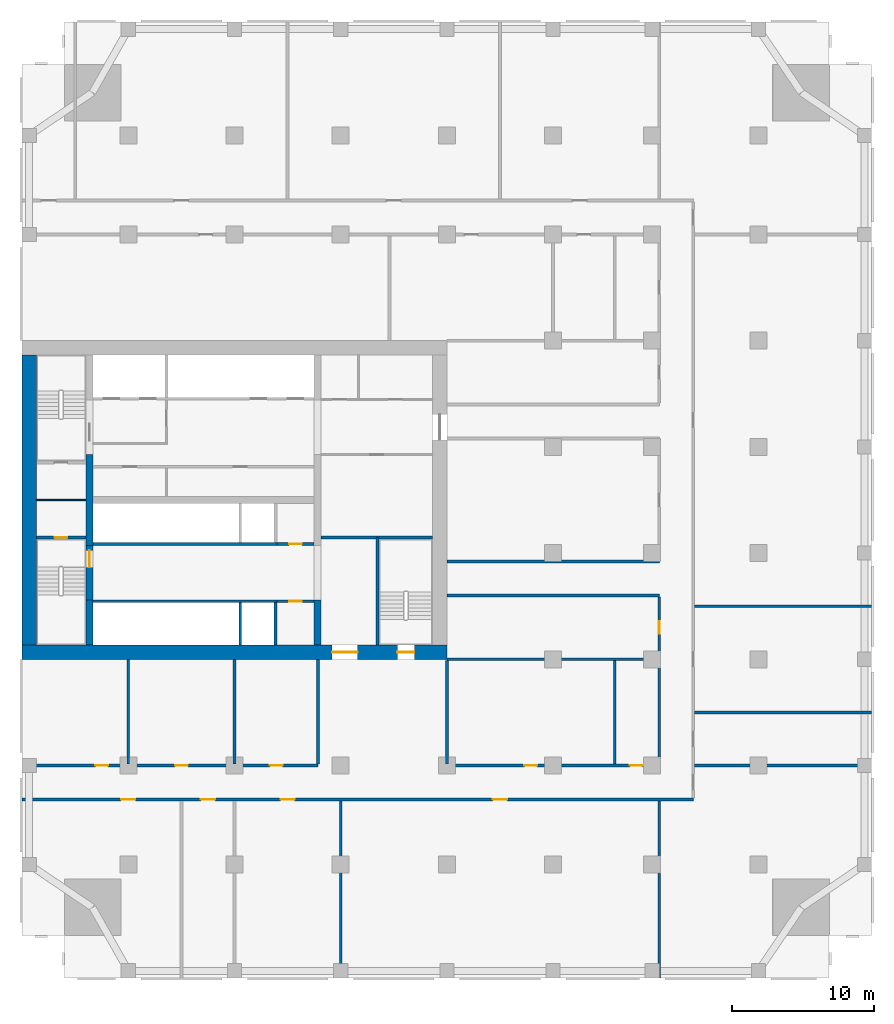
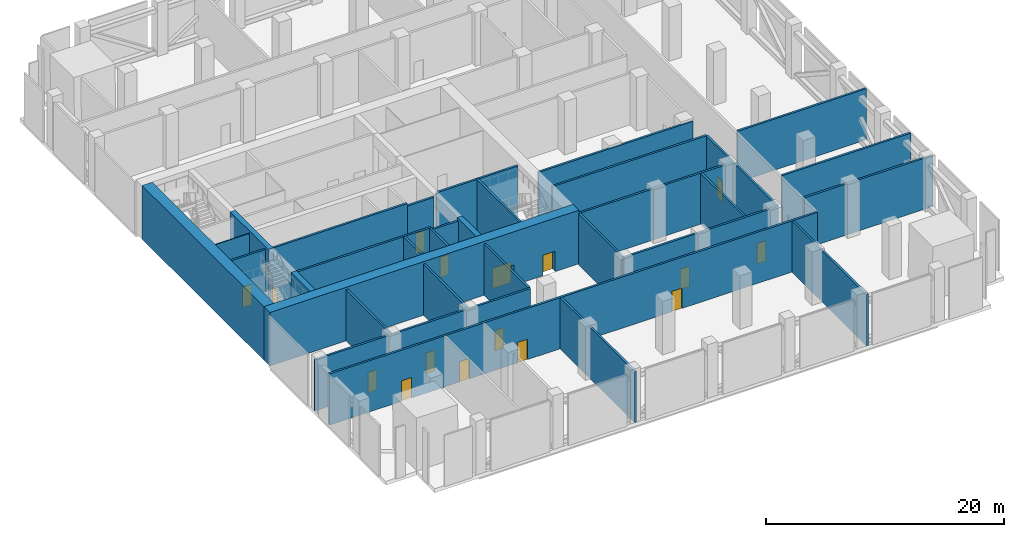
# One storey, part 3 of 10: 33 walls, 16 doors, 16 openings.
"""IFC4 building model written with IfcOpenShell, lengths in metres."""

from ifc_helpers import new_model, si_unit, direction, frame, frame_2d, origin, place, context, subcontext, project, spatial, rectangle, extrude, material, layer, layer_set, type_object, element, fill, save


model = new_model("IFC4")

# Units and contexts
model_context = context("Model", 3, precision=1e-05, world=origin(), true_north=direction((0.0, 1.0)))
body_context = subcontext(model_context, "Body", "Model", "MODEL_VIEW")
ifc_project = project(units=[si_unit("LENGTHUNIT", "METRE"), si_unit("AREAUNIT", "SQUARE_METRE"), si_unit("VOLUMEUNIT", "CUBIC_METRE"), si_unit("PLANEANGLEUNIT", "RADIAN"), si_unit("MASSUNIT", "GRAM", prefix="KILO")], contexts=[model_context])

# Site, building, storey
site_placement = place(None, origin())
site = spatial("IfcSite", under=ifc_project, at=site_placement, CompositionType="ELEMENT")
building_placement = place(site_placement, origin())
building = spatial("IfcBuilding", under=site, at=building_placement, Name="Tamorin Gate", CompositionType="ELEMENT")
storey_placement = place(building_placement, frame((0.0, 0.0, 73.60009765625)))
storey = spatial("IfcBuildingStorey", under=building, at=storey_placement, Name="L17", CompositionType="ELEMENT", Elevation=73.60009765625)

# Walls
ifc_material_1 = material(Name="Concrete C32/40", Category="concrete")
ifc_layer_1 = layer(ifc_material_1, 0.199951171875)
ifc_layer_set_1 = layer_set([ifc_layer_1], Name="Lift lobby face wall 200 EI 120")
wall_type_1 = type_object("IfcWallType", Name="Lift lobby face wall 200 EI 120", PredefinedType="SOLIDWALL", material=ifc_layer_set_1)
for number, where, z_axis, x_axis, name in (
    (1, (35.0, 64.10009765625, 0.0), (0.0, 0.0, 1.0), (1.0, 0.0, 0.0), "Lift lobby face wall"),
    (2, (35.0, 68.14990234375, 0.0), (0.0, 0.0, 1.0), (1.0, 0.0, 0.0), "Lift lobby face wall"),
):
    element("IfcWall", number, at=place(storey_placement, frame(where, z_axis=z_axis, x_axis=x_axis)), inside=storey, type_object=wall_type_1, Name=name, PredefinedType="SOLIDWALL", context=body_context, shape_type="SweptSolid", body=[
        extrude(rectangle(XDim=13.0, YDim=0.199951171875, at=frame_2d((6.5, 0.0))), origin(), (0.0, 0.0, 1.0), 5.5),
    ])
ifc_layer_2 = layer(ifc_material_1, 0.199951171875)
ifc_layer_set_2 = layer_set([ifc_layer_2], Name="Lift shaft wall 200 EI 120")
wall_type_2 = type_object("IfcWallType", Name="Lift shaft wall 200 EI 120", PredefinedType="SOLIDWALL", material=ifc_layer_set_2)
for number, where, z_axis, x_axis, name in (
    (3, (45.39990234375, 61.0, 0.0), (0.0, 0.0, 1.0), (0.0, 1.0, 0.0), "Lift shaft wall"),
    (4, (47.89990234375, 61.0, 0.0), (0.0, 0.0, 1.0), (0.0, 1.0, 0.0), "Lift shaft wall"),
):
    element("IfcWall", number, at=place(storey_placement, frame(where, z_axis=z_axis, x_axis=x_axis)), inside=storey, type_object=wall_type_2, Name=name, PredefinedType="SOLIDWALL", context=body_context, shape_type="SweptSolid", body=[
        extrude(rectangle(XDim=3.0, YDim=0.199951171875, at=frame_2d((1.5, 0.0))), origin(), (0.0, 0.0, 1.0), 5.5),
    ])

# Wall, openings, doors
ifc_material_2 = material(Name="Gypsum board partition")
ifc_layer_3 = layer(ifc_material_2, 0.199951171875)
ifc_layer_set_3 = layer_set([ifc_layer_3], Name="Plant and refuge wall 200")
wall_type_3 = type_object("IfcWallType", Name="Plant and refuge wall 200", PredefinedType="PARTITIONING", material=ifc_layer_set_3)
wall_1_placement = place(storey_placement, frame((30.0, 50.10009765625, 0.0), z_axis=(0.0, 0.0, 1.0), x_axis=(1.0, 0.0, 0.0)))
wall_1 = element("IfcWall", 5, at=wall_1_placement, inside=storey, type_object=wall_type_3, Name="Plant and refuge wall 200", PredefinedType="PARTITIONING", context=body_context, shape_type="SweptSolid", body=[
    extrude(rectangle(XDim=47.39990234375, YDim=0.199951171875, at=frame_2d((23.699951171875, 0.0))), origin(), (0.0, 0.0, 1.0), 5.25),
])
opening_1_placement = place(wall_1_placement, frame((7.0, 0.0, 0.0)))
opening_1 = element("IfcOpeningElement", 6, at=opening_1_placement, cuts=wall_1, Name="Opening DPL1001", PredefinedType="OPENING", context=body_context, shape_type="SweptSolid", body=[
    extrude(rectangle(XDim=1.0, YDim=2.10009765625, at=frame_2d((0.5, 1.050048828125))), frame((0.0, 0.10986328125, 0.0), z_axis=(0.0, -1.0, 0.0), x_axis=(1.0, 0.0, 0.0)), (0.0, 0.0, 1.0), 0.219970703125),
])
opening_2_placement = place(wall_1_placement, frame((12.625, 0.0, 0.0)))
opening_2 = element("IfcOpeningElement", 7, at=opening_2_placement, cuts=wall_1, Name="Opening DPL1002", PredefinedType="OPENING", context=body_context, shape_type="SweptSolid", body=[
    extrude(rectangle(XDim=1.0, YDim=2.10009765625, at=frame_2d((0.5, 1.050048828125))), frame((0.0, 0.10986328125, 0.0), z_axis=(0.0, -1.0, 0.0), x_axis=(1.0, 0.0, 0.0)), (0.0, 0.0, 1.0), 0.219970703125),
])
opening_3_placement = place(wall_1_placement, frame((18.25, 0.0, 0.0)))
opening_3 = element("IfcOpeningElement", 8, at=opening_3_placement, cuts=wall_1, Name="Opening DPL1003", PredefinedType="OPENING", context=body_context, shape_type="SweptSolid", body=[
    extrude(rectangle(XDim=1.0, YDim=2.10009765625, at=frame_2d((0.5, 1.050048828125))), frame((0.0, 0.10986328125, 0.0), z_axis=(0.0, -1.0, 0.0), x_axis=(1.0, 0.0, 0.0)), (0.0, 0.0, 1.0), 0.219970703125),
])
opening_4_placement = place(wall_1_placement, frame((33.25, 0.0, 0.0)))
opening_4 = element("IfcOpeningElement", 9, at=opening_4_placement, cuts=wall_1, Name="Opening DPL1004", PredefinedType="OPENING", context=body_context, shape_type="SweptSolid", body=[
    extrude(rectangle(XDim=1.0, YDim=2.10009765625, at=frame_2d((0.5, 1.050048828125))), frame((0.0, 0.10986328125, 0.0), z_axis=(0.0, -1.0, 0.0), x_axis=(1.0, 0.0, 0.0)), (0.0, 0.0, 1.0), 0.219970703125),
])
ifc_material_3 = material(Name="Timber door leaf", Category="wood")
door_type_1 = type_object("IfcDoorType", Name="Door 1000 x 2100 FD60", OperationType="NOTDEFINED", PredefinedType="DOOR", material=ifc_material_3)
door_1_placement = place(opening_1_placement, origin())
door_1 = element("IfcDoor", 10, at=door_1_placement, inside=storey, type_object=door_type_1, Name="Door DPL1001", OperationType="SINGLE_SWING_RIGHT", OverallHeight=2.10009765625, OverallWidth=1.0, PredefinedType="DOOR", context=body_context, shape_type="SweptSolid", body=[
    extrude(rectangle(XDim=1.0, YDim=2.10009765625, at=frame_2d((0.5, 1.050048828125))), frame((0.0, 0.02490234375, 0.0), z_axis=(0.0, -1.0, 0.0), x_axis=(1.0, 0.0, 0.0)), (0.0, 0.0, 1.0), 0.050048828125),
])
fill(opening_1, door_1)
door_2_placement = place(opening_2_placement, origin())
door_2 = element("IfcDoor", 11, at=door_2_placement, inside=storey, type_object=door_type_1, Name="Door DPL1002", OperationType="SINGLE_SWING_RIGHT", OverallHeight=2.10009765625, OverallWidth=1.0, PredefinedType="DOOR", context=body_context, shape_type="SweptSolid", body=[
    extrude(rectangle(XDim=1.0, YDim=2.10009765625, at=frame_2d((0.5, 1.050048828125))), frame((0.0, 0.02490234375, 0.0), z_axis=(0.0, -1.0, 0.0), x_axis=(1.0, 0.0, 0.0)), (0.0, 0.0, 1.0), 0.050048828125),
])
fill(opening_2, door_2)
door_3_placement = place(opening_3_placement, origin())
door_3 = element("IfcDoor", 12, at=door_3_placement, inside=storey, type_object=door_type_1, Name="Door DPL1003", OperationType="SINGLE_SWING_RIGHT", OverallHeight=2.10009765625, OverallWidth=1.0, PredefinedType="DOOR", context=body_context, shape_type="SweptSolid", body=[
    extrude(rectangle(XDim=1.0, YDim=2.10009765625, at=frame_2d((0.5, 1.050048828125))), frame((0.0, 0.02490234375, 0.0), z_axis=(0.0, -1.0, 0.0), x_axis=(1.0, 0.0, 0.0)), (0.0, 0.0, 1.0), 0.050048828125),
])
fill(opening_3, door_3)
door_4_placement = place(opening_4_placement, origin())
door_4 = element("IfcDoor", 13, at=door_4_placement, inside=storey, type_object=door_type_1, Name="Door DPL1004", OperationType="SINGLE_SWING_RIGHT", OverallHeight=2.10009765625, OverallWidth=1.0, PredefinedType="DOOR", context=body_context, shape_type="SweptSolid", body=[
    extrude(rectangle(XDim=1.0, YDim=2.10009765625, at=frame_2d((0.5, 1.050048828125))), frame((0.0, 0.02490234375, 0.0), z_axis=(0.0, -1.0, 0.0), x_axis=(1.0, 0.0, 0.0)), (0.0, 0.0, 1.0), 0.050048828125),
])
fill(opening_4, door_4)

wall_2_placement = place(storey_placement, frame((30.0, 52.5, 0.0), z_axis=(0.0, 0.0, 1.0), x_axis=(1.0, 0.0, 0.0)))
wall_2 = element("IfcWall", 14, at=wall_2_placement, inside=storey, type_object=wall_type_3, Name="Plant and refuge wall 200", PredefinedType="PARTITIONING", context=body_context, shape_type="SweptSolid", body=[
    extrude(rectangle(XDim=20.89990234375, YDim=0.199951171875, at=frame_2d((10.449951171875, 0.0))), origin(), (0.0, 0.0, 1.0), 5.25),
])
opening_5_placement = place(wall_2_placement, frame((5.175048828125, 0.0, 0.0)))
opening_5 = element("IfcOpeningElement", 15, at=opening_5_placement, cuts=wall_2, Name="Opening DPL1014", PredefinedType="OPENING", context=body_context, shape_type="SweptSolid", body=[
    extrude(rectangle(XDim=0.89990234375, YDim=2.10009765625, at=frame_2d((0.449951171875, 1.050048828125))), frame((0.0, 0.10986328125, 0.0), z_axis=(0.0, -1.0, 0.0), x_axis=(1.0, 0.0, 0.0)), (0.0, 0.0, 1.0), 0.219970703125),
])
opening_6_placement = place(wall_2_placement, frame((10.800048828125, 0.0, 0.0)))
opening_6 = element("IfcOpeningElement", 16, at=opening_6_placement, cuts=wall_2, Name="Opening DPL1015", PredefinedType="OPENING", context=body_context, shape_type="SweptSolid", body=[
    extrude(rectangle(XDim=0.89990234375, YDim=2.10009765625, at=frame_2d((0.449951171875, 1.050048828125))), frame((0.0, 0.10986328125, 0.0), z_axis=(0.0, -1.0, 0.0), x_axis=(1.0, 0.0, 0.0)), (0.0, 0.0, 1.0), 0.219970703125),
])
opening_7_placement = place(wall_2_placement, frame((17.5, 0.0, 0.0)))
opening_7 = element("IfcOpeningElement", 17, at=opening_7_placement, cuts=wall_2, Name="Opening DPL1016", PredefinedType="OPENING", context=body_context, shape_type="SweptSolid", body=[
    extrude(rectangle(XDim=0.89990234375, YDim=2.10009765625, at=frame_2d((0.449951171875, 1.050048828125))), frame((0.0, 0.10986328125, 0.0), z_axis=(0.0, -1.0, 0.0), x_axis=(1.0, 0.0, 0.0)), (0.0, 0.0, 1.0), 0.219970703125),
])
door_type_2 = type_object("IfcDoorType", Name="Door 900 x 2100 FD30S", OperationType="NOTDEFINED", PredefinedType="DOOR", material=ifc_material_3)
door_5_placement = place(opening_6_placement, origin())
door_5 = element("IfcDoor", 18, at=door_5_placement, inside=storey, type_object=door_type_2, Name="Door DPL1015", OperationType="SINGLE_SWING_LEFT", OverallHeight=2.10009765625, OverallWidth=0.89990234375, PredefinedType="DOOR", context=body_context, shape_type="SweptSolid", body=[
    extrude(rectangle(XDim=0.89990234375, YDim=2.10009765625, at=frame_2d((0.449951171875, 1.050048828125))), frame((0.0, 0.02490234375, 0.0), z_axis=(0.0, -1.0, 0.0), x_axis=(1.0, 0.0, 0.0)), (0.0, 0.0, 1.0), 0.050048828125),
])
fill(opening_6, door_5)
door_6_placement = place(opening_7_placement, origin())
door_6 = element("IfcDoor", 19, at=door_6_placement, inside=storey, type_object=door_type_2, Name="Door DPL1016", OperationType="SINGLE_SWING_LEFT", OverallHeight=2.10009765625, OverallWidth=0.89990234375, PredefinedType="DOOR", context=body_context, shape_type="SweptSolid", body=[
    extrude(rectangle(XDim=0.89990234375, YDim=2.10009765625, at=frame_2d((0.449951171875, 1.050048828125))), frame((0.0, 0.02490234375, 0.0), z_axis=(0.0, -1.0, 0.0), x_axis=(1.0, 0.0, 0.0)), (0.0, 0.0, 1.0), 0.050048828125),
])
fill(opening_7, door_6)
door_type_3 = type_object("IfcDoorType", Name="Door 900 x 2100 FD60", OperationType="NOTDEFINED", PredefinedType="DOOR", material=ifc_material_3)
door_7_placement = place(opening_5_placement, origin())
door_7 = element("IfcDoor", 20, at=door_7_placement, inside=storey, type_object=door_type_3, Name="Door DPL1014", OperationType="SINGLE_SWING_LEFT", OverallHeight=2.10009765625, OverallWidth=0.89990234375, PredefinedType="DOOR", context=body_context, shape_type="SweptSolid", body=[
    extrude(rectangle(XDim=0.89990234375, YDim=2.10009765625, at=frame_2d((0.449951171875, 1.050048828125))), frame((0.0, 0.02490234375, 0.0), z_axis=(0.0, -1.0, 0.0), x_axis=(1.0, 0.0, 0.0)), (0.0, 0.0, 1.0), 0.050048828125),
])
fill(opening_5, door_7)

wall_3_placement = place(storey_placement, frame((60.0, 52.5, 0.0), z_axis=(0.0, 0.0, 1.0), x_axis=(1.0, 0.0, 0.0)))
wall_3 = element("IfcWall", 21, at=wall_3_placement, inside=storey, type_object=wall_type_3, Name="Plant and refuge wall 200", PredefinedType="PARTITIONING", context=body_context, shape_type="SweptSolid", body=[
    extrude(rectangle(XDim=15.0, YDim=0.199951171875, at=frame_2d((7.5, 0.0))), origin(), (0.0, 0.0, 1.0), 5.25),
])
opening_8_placement = place(wall_3_placement, frame((5.47509765625, 0.0, 0.0)))
opening_8 = element("IfcOpeningElement", 22, at=opening_8_placement, cuts=wall_3, Name="Opening DPL1017", PredefinedType="OPENING", context=body_context, shape_type="SweptSolid", body=[
    extrude(rectangle(XDim=0.89990234375, YDim=2.10009765625, at=frame_2d((0.449951171875, 1.050048828125))), frame((0.0, 0.10986328125, 0.0), z_axis=(0.0, -1.0, 0.0), x_axis=(1.0, 0.0, 0.0)), (0.0, 0.0, 1.0), 0.219970703125),
])
opening_9_placement = place(wall_3_placement, frame((12.925048828125, 0.0, 0.0)))
opening_9 = element("IfcOpeningElement", 23, at=opening_9_placement, cuts=wall_3, Name="Opening DPL1018", PredefinedType="OPENING", context=body_context, shape_type="SweptSolid", body=[
    extrude(rectangle(XDim=0.89990234375, YDim=2.10009765625, at=frame_2d((0.449951171875, 1.050048828125))), frame((0.0, 0.10986328125, 0.0), z_axis=(0.0, -1.0, 0.0), x_axis=(1.0, 0.0, 0.0)), (0.0, 0.0, 1.0), 0.219970703125),
])
door_8_placement = place(opening_8_placement, origin())
door_8 = element("IfcDoor", 24, at=door_8_placement, inside=storey, type_object=door_type_3, Name="Door DPL1017", OperationType="SINGLE_SWING_LEFT", OverallHeight=2.10009765625, OverallWidth=0.89990234375, PredefinedType="DOOR", context=body_context, shape_type="SweptSolid", body=[
    extrude(rectangle(XDim=0.89990234375, YDim=2.10009765625, at=frame_2d((0.449951171875, 1.050048828125))), frame((0.0, 0.02490234375, 0.0), z_axis=(0.0, -1.0, 0.0), x_axis=(1.0, 0.0, 0.0)), (0.0, 0.0, 1.0), 0.050048828125),
])
fill(opening_8, door_8)
door_9_placement = place(opening_9_placement, origin())
door_9 = element("IfcDoor", 25, at=door_9_placement, inside=storey, type_object=door_type_3, Name="Door DPL1018", OperationType="SINGLE_SWING_LEFT", OverallHeight=2.10009765625, OverallWidth=0.89990234375, PredefinedType="DOOR", context=body_context, shape_type="SweptSolid", body=[
    extrude(rectangle(XDim=0.89990234375, YDim=2.10009765625, at=frame_2d((0.449951171875, 1.050048828125))), frame((0.0, 0.02490234375, 0.0), z_axis=(0.0, -1.0, 0.0), x_axis=(1.0, 0.0, 0.0)), (0.0, 0.0, 1.0), 0.050048828125),
])
fill(opening_9, door_9)

# Walls
for number, where, z_axis, x_axis, name in (
    (26, (77.5, 52.5, 0.0), (0.0, 0.0, 1.0), (1.0, 0.0, 0.0), "Plant and refuge wall 200"),
    (27, (77.5, 56.25, 0.0), (0.0, 0.0, 1.0), (1.0, 0.0, 0.0), "Plant and refuge wall 200"),
):
    element("IfcWall", number, at=place(storey_placement, frame(where, z_axis=z_axis, x_axis=x_axis)), inside=storey, type_object=wall_type_3, Name=name, PredefinedType="PARTITIONING", context=body_context, shape_type="SweptSolid", body=[
        extrude(rectangle(XDim=12.5, YDim=0.199951171875, at=frame_2d((6.25, 0.0))), origin(), (0.0, 0.0, 1.0), 5.25),
    ])
wall_4_placement = place(storey_placement, frame((60.0, 60.0, 0.0), z_axis=(0.0, 0.0, 1.0), x_axis=(1.0, 0.0, 0.0)))
element("IfcWall", 28, at=wall_4_placement, inside=storey, type_object=wall_type_3, Name="Plant and refuge wall 200", PredefinedType="PARTITIONING", context=body_context, shape_type="SweptSolid", body=[
    extrude(rectangle(XDim=14.89990234375, YDim=0.199951171875, at=frame_2d((7.449951171875, 0.0))), origin(), (0.0, 0.0, 1.0), 5.25),
])
wall_5_placement = place(storey_placement, frame((77.5, 63.75, 0.0), z_axis=(0.0, 0.0, 1.0), x_axis=(1.0, 0.0, 0.0)))
element("IfcWall", 29, at=wall_5_placement, inside=storey, type_object=wall_type_3, Name="Plant and refuge wall 200", PredefinedType="PARTITIONING", context=body_context, shape_type="SweptSolid", body=[
    extrude(rectangle(XDim=12.5, YDim=0.199951171875, at=frame_2d((6.25, 0.0))), origin(), (0.0, 0.0, 1.0), 5.25),
])
for number, where, z_axis, x_axis, name in (
    (30, (60.0, 64.5, 0.0), (0.0, 0.0, 1.0), (1.0, 0.0, 0.0), "Plant and refuge wall 200"),
    (31, (60.0, 66.89990234375, 0.0), (0.0, 0.0, 1.0), (1.0, 0.0, 0.0), "Plant and refuge wall 200"),
):
    element("IfcWall", number, at=place(storey_placement, frame(where, z_axis=z_axis, x_axis=x_axis)), inside=storey, type_object=wall_type_3, Name=name, PredefinedType="PARTITIONING", context=body_context, shape_type="SweptSolid", body=[
        extrude(rectangle(XDim=15.0, YDim=0.199951171875, at=frame_2d((7.5, 0.0))), origin(), (0.0, 0.0, 1.0), 5.25),
    ])
for number, where, z_axis, x_axis, name in (
    (32, (37.5, 52.60009765625, 0.0), (0.0, 0.0, 1.0), (0.0, 1.0, 0.0), "Plant and refuge wall 200"),
    (33, (45.0, 52.60009765625, 0.0), (0.0, 0.0, 1.0), (0.0, 1.0, 0.0), "Plant and refuge wall 200"),
    (34, (50.89990234375, 52.60009765625, 0.0), (0.0, 0.0, 1.0), (0.0, 1.0, 0.0), "Plant and refuge wall 200"),
):
    element("IfcWall", number, at=place(storey_placement, frame(where, z_axis=z_axis, x_axis=x_axis)), inside=storey, type_object=wall_type_3, Name=name, PredefinedType="PARTITIONING", context=body_context, shape_type="SweptSolid", body=[
        extrude(rectangle(XDim=7.39990234375, YDim=0.199951171875, at=frame_2d((3.699951171875, 0.0))), origin(), (0.0, 0.0, 1.0), 5.25),
    ])
wall_6_placement = place(storey_placement, frame((52.5, 37.5, 0.0), z_axis=(0.0, 0.0, 1.0), x_axis=(0.0, 1.0, 0.0)))
element("IfcWall", 35, at=wall_6_placement, inside=storey, type_object=wall_type_3, Name="Plant and refuge wall 200", PredefinedType="PARTITIONING", context=body_context, shape_type="SweptSolid", body=[
    extrude(rectangle(XDim=12.5, YDim=0.199951171875, at=frame_2d((6.25, 0.0))), origin(), (0.0, 0.0, 1.0), 5.25),
])
for number, where, z_axis, x_axis, name in (
    (36, (60.0, 52.60009765625, 0.0), (0.0, 0.0, 1.0), (0.0, 1.0, 0.0), "Plant and refuge wall 200"),
    (37, (71.85009765625, 52.60009765625, 0.0), (0.0, 0.0, 1.0), (0.0, 1.0, 0.0), "Plant and refuge wall 200"),
):
    element("IfcWall", number, at=place(storey_placement, frame(where, z_axis=z_axis, x_axis=x_axis)), inside=storey, type_object=wall_type_3, Name=name, PredefinedType="PARTITIONING", context=body_context, shape_type="SweptSolid", body=[
        extrude(rectangle(XDim=7.2998046875, YDim=0.199951171875, at=frame_2d((3.64990234375, 0.0))), origin(), (0.0, 0.0, 1.0), 5.25),
    ])
wall_7_placement = place(storey_placement, frame((75.0, 37.5, 0.0), z_axis=(0.0, 0.0, 1.0), x_axis=(0.0, 1.0, 0.0)))
element("IfcWall", 38, at=wall_7_placement, inside=storey, type_object=wall_type_3, Name="Plant and refuge wall 200", PredefinedType="PARTITIONING", context=body_context, shape_type="SweptSolid", body=[
    extrude(rectangle(XDim=12.5, YDim=0.199951171875, at=frame_2d((6.25, 0.0))), origin(), (0.0, 0.0, 1.0), 5.25),
])

# Wall, opening, door
wall_8_placement = place(storey_placement, frame((75.0, 52.60009765625, 0.0), z_axis=(0.0, 0.0, 1.0), x_axis=(0.0, 1.0, 0.0)))
wall_8 = element("IfcWall", 39, at=wall_8_placement, inside=storey, type_object=wall_type_3, Name="Plant and refuge wall 200", PredefinedType="PARTITIONING", context=body_context, shape_type="SweptSolid", body=[
    extrude(rectangle(XDim=11.7998046875, YDim=0.199951171875, at=frame_2d((5.89990234375, 0.0))), origin(), (0.0, 0.0, 1.0), 5.25),
])
opening_10_placement = place(wall_8_placement, frame((9.199951171875, 0.0, 0.0)))
opening_10 = element("IfcOpeningElement", 40, at=opening_10_placement, cuts=wall_8, Name="Opening DPL1023", PredefinedType="OPENING", context=body_context, shape_type="SweptSolid", body=[
    extrude(rectangle(XDim=0.89990234375, YDim=2.10009765625, at=frame_2d((0.449951171875, 1.050048828125))), frame((0.0, 0.10986328125, 0.0), z_axis=(0.0, -1.0, 0.0), x_axis=(1.0, 0.0, 0.0)), (0.0, 0.0, 1.0), 0.219970703125),
])
door_10_placement = place(opening_10_placement, origin())
door_10 = element("IfcDoor", 41, at=door_10_placement, inside=storey, type_object=door_type_3, Name="Door DPL1023", OperationType="SINGLE_SWING_LEFT", OverallHeight=2.10009765625, OverallWidth=0.89990234375, PredefinedType="DOOR", context=body_context, shape_type="SweptSolid", body=[
    extrude(rectangle(XDim=0.89990234375, YDim=2.10009765625, at=frame_2d((0.449951171875, 1.050048828125))), frame((0.0, 0.02490234375, 0.0), z_axis=(0.0, -1.0, 0.0), x_axis=(1.0, 0.0, 0.0)), (0.0, 0.0, 1.0), 0.050048828125),
])
fill(opening_10, door_10)

# Walls
ifc_material_4 = material(Name="Concrete C80/95", Category="concrete")
ifc_layer_4 = layer(ifc_material_4, 0.5)
ifc_layer_set_4 = layer_set([ifc_layer_4], Name="RC core internal wall 500 C80/95")
wall_type_4 = type_object("IfcWallType", Name="RC core internal wall 500 C80/95", PredefinedType="SHEAR", material=ifc_layer_set_4)
wall_9_placement = place(storey_placement, frame((34.75, 61.0, 0.0), z_axis=(0.0, 0.0, 1.0), x_axis=(0.0, 1.0, 0.0)))
element("IfcWall", 42, at=wall_9_placement, inside=storey, type_object=wall_type_4, Name="Core cross wall L17", PredefinedType="SHEAR", context=body_context, shape_type="SweptSolid", body=[
    extrude(rectangle(XDim=3.199951171875, YDim=0.5, at=frame_2d((1.60009765625, 0.0))), origin(), (0.0, 0.0, 1.0), 5.5),
])
wall_10_placement = place(storey_placement, frame((34.75, 68.050048828125, 0.0), z_axis=(0.0, 0.0, 1.0), x_axis=(0.0, 1.0, 0.0)))
element("IfcWall", 43, at=wall_10_placement, inside=storey, type_object=wall_type_4, Name="Core cross wall L17", PredefinedType="SHEAR", context=body_context, shape_type="SweptSolid", body=[
    extrude(rectangle(XDim=6.39990234375, YDim=0.5, at=frame_2d((3.199951171875, 0.0))), origin(), (0.0, 0.0, 1.0), 5.5),
])
wall_11_placement = place(storey_placement, frame((50.85009765625, 61.0, 0.0), z_axis=(0.0, 0.0, 1.0), x_axis=(0.0, 1.0, 0.0)))
element("IfcWall", 44, at=wall_11_placement, inside=storey, type_object=wall_type_4, Name="Core cross wall L17", PredefinedType="SHEAR", context=body_context, shape_type="SweptSolid", body=[
    extrude(rectangle(XDim=3.199951171875, YDim=0.5, at=frame_2d((1.60009765625, 0.0))), origin(), (0.0, 0.0, 1.0), 5.5),
])

# Wall, openings, doors
ifc_layer_5 = layer(ifc_material_4, 1.0)
ifc_layer_set_5 = layer_set([ifc_layer_5], Name="RC core wall 1000 C80/95")
wall_type_5 = type_object("IfcWallType", Name="RC core wall 1000 C80/95", PredefinedType="SHEAR", material=ifc_layer_set_5)
wall_12_placement = place(storey_placement, frame((30.0, 60.5, 0.0), z_axis=(0.0, 0.0, 1.0), x_axis=(1.0, 0.0, 0.0)))
wall_12 = element("IfcWall", 45, at=wall_12_placement, inside=storey, type_object=wall_type_5, Name="Core wall L17", PredefinedType="SHEAR", context=body_context, shape_type="SweptSolid", body=[
    extrude(rectangle(XDim=30.0, YDim=1.0, at=frame_2d((15.0, 0.0))), origin(), (0.0, 0.0, 1.0), 5.5),
])
opening_11_placement = place(wall_12_placement, frame((21.89990234375, 0.0, 0.0)))
opening_11 = element("IfcOpeningElement", 46, at=opening_11_placement, cuts=wall_12, Name="Opening DE1", PredefinedType="OPENING", context=body_context, shape_type="SweptSolid", body=[
    extrude(rectangle(XDim=1.800048828125, YDim=2.10009765625, at=frame_2d((0.89990234375, 1.050048828125))), frame((0.0, 0.510009765625, 0.0), z_axis=(0.0, -1.0, 0.0), x_axis=(1.0, 0.0, 0.0)), (0.0, 0.0, 1.0), 1.02001953125),
])
opening_12_placement = place(wall_12_placement, frame((26.5, 0.0, 0.0)))
opening_12 = element("IfcOpeningElement", 47, at=opening_12_placement, cuts=wall_12, Name="Opening DS1", PredefinedType="OPENING", context=body_context, shape_type="SweptSolid", body=[
    extrude(rectangle(XDim=1.199951171875, YDim=2.10009765625, at=frame_2d((0.60009765625, 1.050048828125))), frame((0.0, 0.510009765625, 0.0), z_axis=(0.0, -1.0, 0.0), x_axis=(1.0, 0.0, 0.0)), (0.0, 0.0, 1.0), 1.02001953125),
])
ifc_material_5 = material(Name="Steel fire door", Category="steel")
door_type_4 = type_object("IfcDoorType", Name="Lobby exit double door 1800 x 2100 EI 60", OperationType="DOUBLE_DOOR_SINGLE_SWING", PredefinedType="DOOR", material=ifc_material_5)
door_11_placement = place(opening_11_placement, origin())
door_11 = element("IfcDoor", 48, at=door_11_placement, inside=storey, type_object=door_type_4, Name="Lift lobby A exit door", OperationType="DOUBLE_DOOR_SINGLE_SWING", OverallHeight=2.10009765625, OverallWidth=1.800048828125, PredefinedType="DOOR", context=body_context, shape_type="SweptSolid", body=[
    extrude(rectangle(XDim=1.800048828125, YDim=2.10009765625, at=frame_2d((0.89990234375, 1.050048828125))), frame((0.0, 0.02490234375, 0.0), z_axis=(0.0, -1.0, 0.0), x_axis=(1.0, 0.0, 0.0)), (0.0, 0.0, 1.0), 0.050048828125),
])
fill(opening_11, door_11)
door_type_5 = type_object("IfcDoorType", Name="Stair door 1200 x 2100 EI 90", OperationType="SINGLE_SWING_LEFT", PredefinedType="DOOR", material=ifc_material_5)
door_12_placement = place(opening_12_placement, origin())
door_12 = element("IfcDoor", 49, at=door_12_placement, inside=storey, type_object=door_type_5, Name="ST3 door", OperationType="SINGLE_SWING_LEFT", OverallHeight=2.10009765625, OverallWidth=1.199951171875, PredefinedType="DOOR", context=body_context, shape_type="SweptSolid", body=[
    extrude(rectangle(XDim=1.199951171875, YDim=2.10009765625, at=frame_2d((0.60009765625, 1.050048828125))), frame((0.0, 0.02490234375, 0.0), z_axis=(0.0, -1.0, 0.0), x_axis=(1.0, 0.0, 0.0)), (0.0, 0.0, 1.0), 0.050048828125),
])
fill(opening_12, door_12)

# Walls
wall_13_placement = place(storey_placement, frame((30.5, 61.0, 0.0), z_axis=(0.0, 0.0, 1.0), x_axis=(0.0, 1.0, 0.0)))
element("IfcWall", 50, at=wall_13_placement, inside=storey, type_object=wall_type_5, Name="Core wall L17", PredefinedType="SHEAR", context=body_context, shape_type="SweptSolid", body=[
    extrude(rectangle(XDim=20.5, YDim=1.0, at=frame_2d((10.25, 0.0))), origin(), (0.0, 0.0, 1.0), 5.5),
])
ifc_material_6 = material(Name="Fire-rated gypsum board partition")
ifc_layer_6 = layer(ifc_material_6, 0.10009765625)
ifc_layer_set_6 = layer_set([ifc_layer_6], Name="Riser partition 100 EI 120")
wall_type_6 = type_object("IfcWallType", Name="Riser partition 100 EI 120", PredefinedType="PARTITIONING", material=ifc_layer_set_6)
wall_14_placement = place(storey_placement, frame((31.0, 71.25, 0.0), z_axis=(0.0, 0.0, 1.0), x_axis=(1.0, 0.0, 0.0)))
element("IfcWall", 51, at=wall_14_placement, inside=storey, type_object=wall_type_6, Name="Riser partition", PredefinedType="PARTITIONING", context=body_context, shape_type="SweptSolid", body=[
    extrude(rectangle(XDim=3.5, YDim=0.10009765625, at=frame_2d((1.75, 0.0))), origin(), (0.0, 0.0, 1.0), 5.25),
])

# Wall, opening, door
ifc_layer_7 = layer(ifc_material_2, 0.199951171875)
ifc_layer_set_7 = layer_set([ifc_layer_7], Name="Service room face wall 200 EI 60")
wall_type_7 = type_object("IfcWallType", Name="Service room face wall 200 EI 60", PredefinedType="PARTITIONING", material=ifc_layer_set_7)
wall_15_placement = place(storey_placement, frame((48.0, 64.10009765625, 0.0), z_axis=(0.0, 0.0, 1.0), x_axis=(1.0, 0.0, 0.0)))
wall_15 = element("IfcWall", 52, at=wall_15_placement, inside=storey, type_object=wall_type_7, Name="Service room face wall", PredefinedType="PARTITIONING", context=body_context, shape_type="SweptSolid", body=[
    extrude(rectangle(XDim=2.60009765625, YDim=0.199951171875, at=frame_2d((1.300048828125, 0.0))), origin(), (0.0, 0.0, 1.0), 5.25),
])
opening_13_placement = place(wall_15_placement, frame((0.85009765625, 0.0, 0.0)))
opening_13 = element("IfcOpeningElement", 53, at=opening_13_placement, cuts=wall_15, Name="Opening DK1", PredefinedType="OPENING", context=body_context, shape_type="SweptSolid", body=[
    extrude(rectangle(XDim=0.89990234375, YDim=2.10009765625, at=frame_2d((0.449951171875, 1.050048828125))), frame((0.0, 0.10986328125, 0.0), z_axis=(0.0, -1.0, 0.0), x_axis=(1.0, 0.0, 0.0)), (0.0, 0.0, 1.0), 0.219970703125),
])
ifc_material_7 = material(Name="Timber fire door", Category="wood")
door_type_6 = type_object("IfcDoorType", Name="Service room door 900 x 2100 EI 60", OperationType="SINGLE_SWING_LEFT", PredefinedType="DOOR", material=ifc_material_7)
door_13_placement = place(opening_13_placement, origin())
door_13 = element("IfcDoor", 54, at=door_13_placement, inside=storey, type_object=door_type_6, Name="Door Smoke extract riser room", OperationType="SINGLE_SWING_LEFT", OverallHeight=2.10009765625, OverallWidth=0.89990234375, PredefinedType="DOOR", context=body_context, shape_type="SweptSolid", body=[
    extrude(rectangle(XDim=0.89990234375, YDim=2.10009765625, at=frame_2d((0.449951171875, 1.050048828125))), frame((0.0, 0.02490234375, 0.0), z_axis=(0.0, -1.0, 0.0), x_axis=(1.0, 0.0, 0.0)), (0.0, 0.0, 1.0), 0.050048828125),
])
fill(opening_13, door_13)

wall_16_placement = place(storey_placement, frame((48.0, 68.14990234375, 0.0), z_axis=(0.0, 0.0, 1.0), x_axis=(1.0, 0.0, 0.0)))
wall_16 = element("IfcWall", 55, at=wall_16_placement, inside=storey, type_object=wall_type_7, Name="Service room face wall", PredefinedType="PARTITIONING", context=body_context, shape_type="SweptSolid", body=[
    extrude(rectangle(XDim=2.60009765625, YDim=0.199951171875, at=frame_2d((1.300048828125, 0.0))), origin(), (0.0, 0.0, 1.0), 5.25),
])
opening_14_placement = place(wall_16_placement, frame((0.85009765625, 0.0, 0.0)))
opening_14 = element("IfcOpeningElement", 56, at=opening_14_placement, cuts=wall_16, Name="Opening DK1", PredefinedType="OPENING", context=body_context, shape_type="SweptSolid", body=[
    extrude(rectangle(XDim=0.89990234375, YDim=2.10009765625, at=frame_2d((0.449951171875, 1.050048828125))), frame((0.0, 0.10986328125, 0.0), z_axis=(0.0, -1.0, 0.0), x_axis=(1.0, 0.0, 0.0)), (0.0, 0.0, 1.0), 0.219970703125),
])
door_14_placement = place(opening_14_placement, origin())
door_14 = element("IfcDoor", 57, at=door_14_placement, inside=storey, type_object=door_type_6, Name="Door BMS room", OperationType="SINGLE_SWING_LEFT", OverallHeight=2.10009765625, OverallWidth=0.89990234375, PredefinedType="DOOR", context=body_context, shape_type="SweptSolid", body=[
    extrude(rectangle(XDim=0.89990234375, YDim=2.10009765625, at=frame_2d((0.449951171875, 1.050048828125))), frame((0.0, 0.02490234375, 0.0), z_axis=(0.0, -1.0, 0.0), x_axis=(1.0, 0.0, 0.0)), (0.0, 0.0, 1.0), 0.050048828125),
])
fill(opening_14, door_14)

ifc_material_8 = material(Name="Concrete C40/50", Category="concrete")
ifc_layer_8 = layer(ifc_material_8, 0.199951171875)
ifc_layer_set_8 = layer_set([ifc_layer_8], Name="Stair enclosure wall 200 EI 120 C40/50")
wall_type_8 = type_object("IfcWallType", Name="Stair enclosure wall 200 EI 120 C40/50", PredefinedType="SOLIDWALL", material=ifc_layer_set_8)
wall_17_placement = place(storey_placement, frame((31.0, 68.60009765625, 0.0), z_axis=(0.0, 0.0, 1.0), x_axis=(1.0, 0.0, 0.0)))
wall_17 = element("IfcWall", 58, at=wall_17_placement, inside=storey, type_object=wall_type_8, Name="Stair enclosure wall", PredefinedType="SOLIDWALL", context=body_context, shape_type="SweptSolid", body=[
    extrude(rectangle(XDim=3.5, YDim=0.199951171875, at=frame_2d((1.75, 0.0))), origin(), (0.0, 0.0, 1.0), 5.25),
])
opening_15_placement = place(wall_17_placement, frame((1.300048828125, 0.0, 0.0)))
opening_15 = element("IfcOpeningElement", 59, at=opening_15_placement, cuts=wall_17, Name="Opening DR1", PredefinedType="OPENING", context=body_context, shape_type="SweptSolid", body=[
    extrude(rectangle(XDim=0.89990234375, YDim=2.10009765625, at=frame_2d((0.449951171875, 1.050048828125))), frame((0.0, 0.10986328125, 0.0), z_axis=(0.0, -1.0, 0.0), x_axis=(1.0, 0.0, 0.0)), (0.0, 0.0, 1.0), 0.219970703125),
])
door_type_7 = type_object("IfcDoorType", Name="Riser access door 900 x 2100 EI 120", OperationType="SINGLE_SWING_LEFT", PredefinedType="DOOR", material=ifc_material_5)
door_15_placement = place(opening_15_placement, origin())
door_15 = element("IfcDoor", 60, at=door_15_placement, inside=storey, type_object=door_type_7, Name="Electrical riser door", OperationType="SINGLE_SWING_LEFT", OverallHeight=2.10009765625, OverallWidth=0.89990234375, PredefinedType="DOOR", context=body_context, shape_type="SweptSolid", body=[
    extrude(rectangle(XDim=0.89990234375, YDim=2.10009765625, at=frame_2d((0.449951171875, 1.050048828125))), frame((0.0, 0.02490234375, 0.0), z_axis=(0.0, -1.0, 0.0), x_axis=(1.0, 0.0, 0.0)), (0.0, 0.0, 1.0), 0.050048828125),
])
fill(opening_15, door_15)

# Walls
wall_18_placement = place(storey_placement, frame((55.10009765625, 61.0, 0.0), z_axis=(0.0, 0.0, 1.0), x_axis=(0.0, 1.0, 0.0)))
element("IfcWall", 61, at=wall_18_placement, inside=storey, type_object=wall_type_8, Name="Stair enclosure wall", PredefinedType="SOLIDWALL", context=body_context, shape_type="SweptSolid", body=[
    extrude(rectangle(XDim=7.60009765625, YDim=0.199951171875, at=frame_2d((3.800048828125, 0.0))), origin(), (0.0, 0.0, 1.0), 5.25),
])
wall_19_placement = place(storey_placement, frame((51.10009765625, 68.60009765625, 0.0), z_axis=(0.0, 0.0, 1.0), x_axis=(1.0, 0.0, 0.0)))
element("IfcWall", 62, at=wall_19_placement, inside=storey, type_object=wall_type_8, Name="Stair enclosure wall", PredefinedType="SOLIDWALL", context=body_context, shape_type="SweptSolid", body=[
    extrude(rectangle(XDim=7.89990234375, YDim=0.199951171875, at=frame_2d((3.949951171875, 0.0))), origin(), (0.0, 0.0, 1.0), 5.25),
])

# Wall, opening, door
ifc_layer_9 = layer(ifc_material_1, 0.5)
ifc_layer_set_9 = layer_set([ifc_layer_9], Name="Stair lobby infill wall 500 EI 120")
wall_type_9 = type_object("IfcWallType", Name="Stair lobby infill wall 500 EI 120", PredefinedType="SOLIDWALL", material=ifc_layer_set_9)
wall_20_placement = place(storey_placement, frame((34.75, 64.199951171875, 0.0), z_axis=(0.0, 0.0, 1.0), x_axis=(0.0, 1.0, 0.0)))
wall_20 = element("IfcWall", 63, at=wall_20_placement, inside=storey, type_object=wall_type_9, Name="Stair lobby infill wall", PredefinedType="SOLIDWALL", context=body_context, shape_type="SweptSolid", body=[
    extrude(rectangle(XDim=3.85009765625, YDim=0.5, at=frame_2d((1.925048828125, 0.0))), origin(), (0.0, 0.0, 1.0), 4.2998046875),
])
opening_16_placement = place(wall_20_placement, frame((2.300048828125, 0.0, 0.0)))
opening_16 = element("IfcOpeningElement", 64, at=opening_16_placement, cuts=wall_20, Name="Opening DS1", PredefinedType="OPENING", context=body_context, shape_type="SweptSolid", body=[
    extrude(rectangle(XDim=1.199951171875, YDim=2.10009765625, at=frame_2d((0.60009765625, 1.050048828125))), frame((0.0, 0.260009765625, 0.0), z_axis=(0.0, -1.0, 0.0), x_axis=(1.0, 0.0, 0.0)), (0.0, 0.0, 1.0), 0.52001953125),
])
door_16_placement = place(opening_16_placement, origin())
door_16 = element("IfcDoor", 65, at=door_16_placement, inside=storey, type_object=door_type_5, Name="ST1 door", OperationType="SINGLE_SWING_LEFT", OverallHeight=2.10009765625, OverallWidth=1.199951171875, PredefinedType="DOOR", context=body_context, shape_type="SweptSolid", body=[
    extrude(rectangle(XDim=1.199951171875, YDim=2.10009765625, at=frame_2d((0.60009765625, 1.050048828125))), frame((0.0, 0.02490234375, 0.0), z_axis=(0.0, -1.0, 0.0), x_axis=(1.0, 0.0, 0.0)), (0.0, 0.0, 1.0), 0.050048828125),
])
fill(opening_16, door_16)

save(model, "model.ifc")
